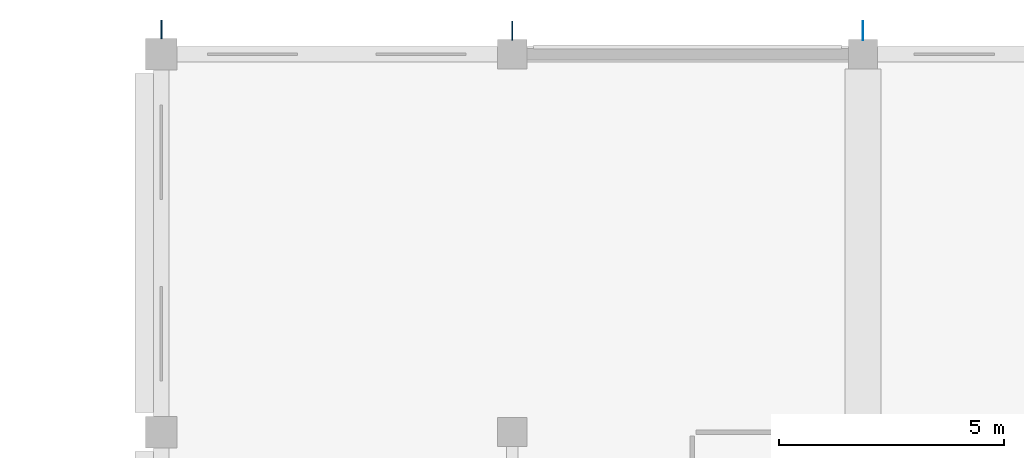
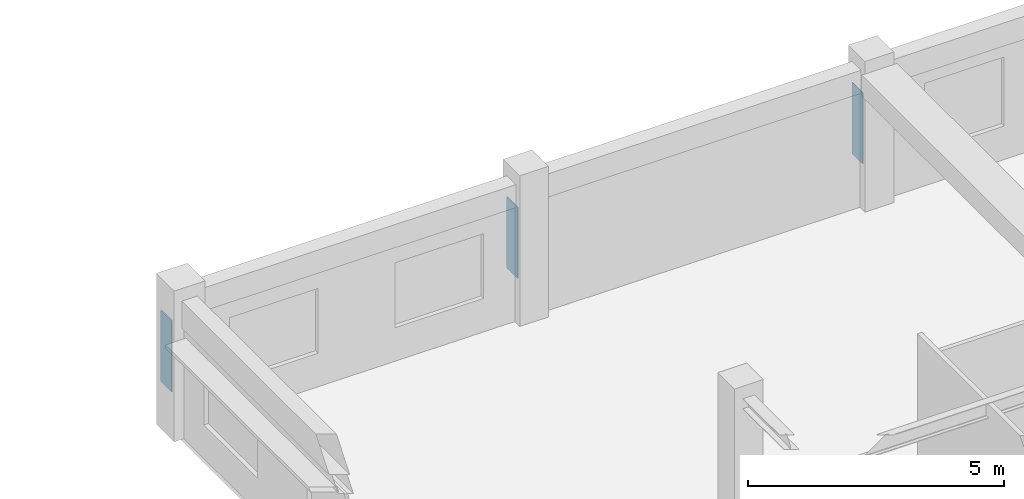
# One storey, part 31 of 49: 3 plates.
"""IFC4 building model written with IfcOpenShell, lengths in metres."""

from ifc_helpers import new_model, si_unit, direction, frame, origin, origin_2d, place, context, subcontext, project, spatial, rectangle, extrude, material, layer, layer_set, type_object, element, save


model = new_model("IFC4")

# Units and contexts
model_context = context("Model", 3, precision=1e-05, world=origin(), true_north=direction((0.0, 1.0)))
body_context = subcontext(model_context, "Body", "Model", "MODEL_VIEW")
ifc_project = project(units=[si_unit("LENGTHUNIT", "METRE"), si_unit("AREAUNIT", "SQUARE_METRE"), si_unit("VOLUMEUNIT", "CUBIC_METRE"), si_unit("PLANEANGLEUNIT", "RADIAN"), si_unit("MASSUNIT", "GRAM", prefix="KILO"), si_unit("THERMODYNAMICTEMPERATUREUNIT", "KELVIN"), si_unit("POWERUNIT", "WATT")], contexts=[model_context])

# Site, building, storey
site_placement = place(None, origin())
site = spatial("IfcSite", under=ifc_project, at=site_placement, CompositionType="ELEMENT")
building_placement = place(site_placement, origin())
building = spatial("IfcBuilding", under=site, at=building_placement, Name="Srebrne Nadtorze General Hospital", CompositionType="ELEMENT")
storey_placement = place(building_placement, frame((0.0, 0.0, 26.10009765625)))
storey = spatial("IfcBuildingStorey", under=building, at=storey_placement, Name="L06", CompositionType="ELEMENT", Elevation=26.10009765625)

# Plates
ifc_material_1 = material(Name="Steel S355J2", Category="steel")
ifc_layer_1 = layer(ifc_material_1, 0.02490234375)
ifc_layer_set_1 = layer_set([ifc_layer_1], Name="Steel S355J2")
plate_type_1 = type_object("IfcPlateType", Name="Steel gusset plate 25", PredefinedType="SHEET", material=ifc_layer_set_1)
plate_1_placement = place(storey_placement, frame((109.199951171875, 92.925048828125, 0.64990234375), z_axis=(0.0, 0.0, 1.0), x_axis=(1.0, 0.0, 0.0)))
element("IfcPlate", 1, at=plate_1_placement, inside=storey, type_object=plate_type_1, Name="Steel connection gusset plate 23", PredefinedType="SHEET", context=body_context, shape_type="SweptSolid", body=[
    extrude(rectangle(XDim=0.02490234375, YDim=0.419921875, at=origin_2d()), origin(), (0.0, 0.0, 1.0), 1.699951171875),
])
ifc_material_2 = material(Name="Steel S355J2", Category="steel")
ifc_layer_2 = layer(ifc_material_2, 0.031982421875)
ifc_layer_set_2 = layer_set([ifc_layer_2], Name="Steel S355J2")
plate_type_2 = type_object("IfcPlateType", Name="Steel gusset plate 32", PredefinedType="SHEET", material=ifc_layer_set_2)
plate_2_placement = place(storey_placement, frame((101.39990234375, 92.949951171875, 0.64990234375), z_axis=(0.0, 0.0, 1.0), x_axis=(1.0, 0.0, 0.0)))
element("IfcPlate", 2, at=plate_2_placement, inside=storey, type_object=plate_type_2, Name="Steel connection gusset plate 22", PredefinedType="SHEET", context=body_context, shape_type="SweptSolid", body=[
    extrude(rectangle(XDim=0.031982421875, YDim=0.419921875, at=origin_2d()), origin(), (0.0, 0.0, 1.0), 1.699951171875),
])
ifc_material_3 = material(Name="Steel S355J2", Category="steel")
ifc_layer_3 = layer(ifc_material_3, 0.01806640625)
ifc_layer_set_3 = layer_set([ifc_layer_3], Name="Steel S355J2")
plate_type_3 = type_object("IfcPlateType", Name="Steel stiffener plate 18", PredefinedType="SHEET", material=ifc_layer_set_3)
plate_3_placement = place(storey_placement, frame((117.0, 92.925048828125, 0.64990234375), z_axis=(0.0, 0.0, 1.0), x_axis=(1.0, 0.0, 0.0)))
element("IfcPlate", 3, at=plate_3_placement, inside=storey, type_object=plate_type_3, Name="Steel connection gusset plate 24", PredefinedType="SHEET", context=body_context, shape_type="SweptSolid", body=[
    extrude(rectangle(XDim=0.01806640625, YDim=0.419921875, at=origin_2d()), origin(), (0.0, 0.0, 1.0), 1.699951171875),
])

save(model, "model.ifc")
